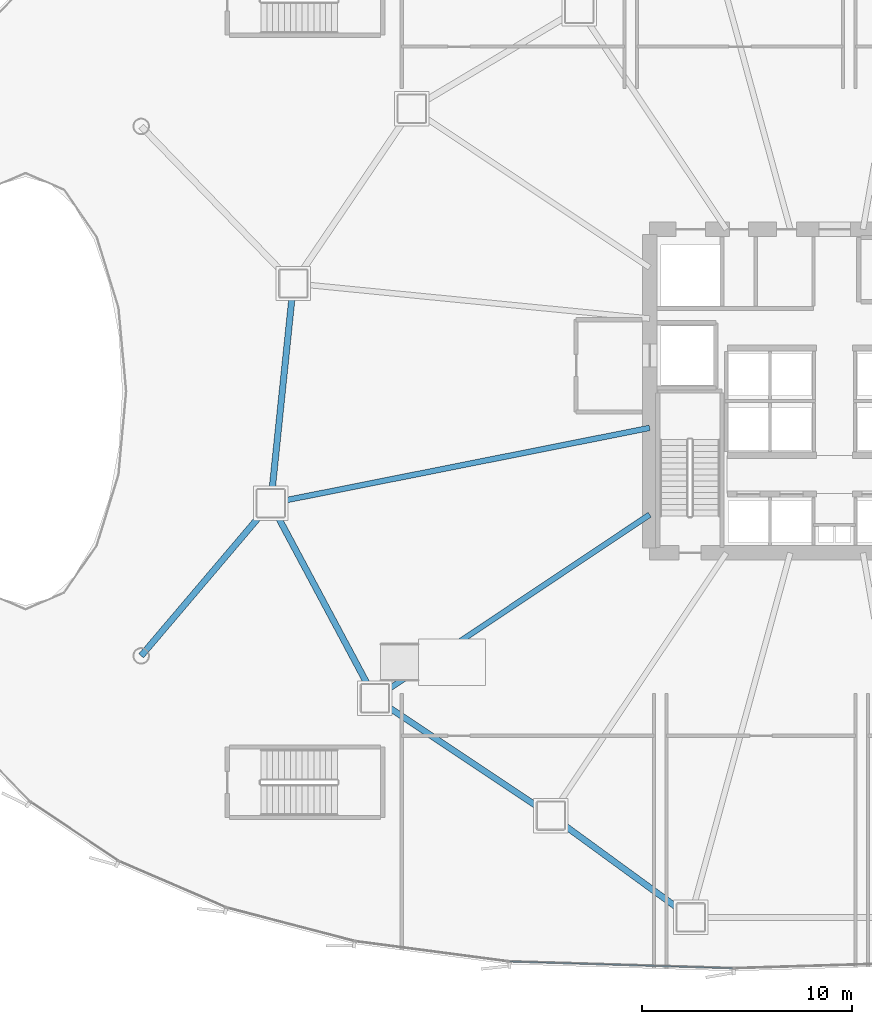
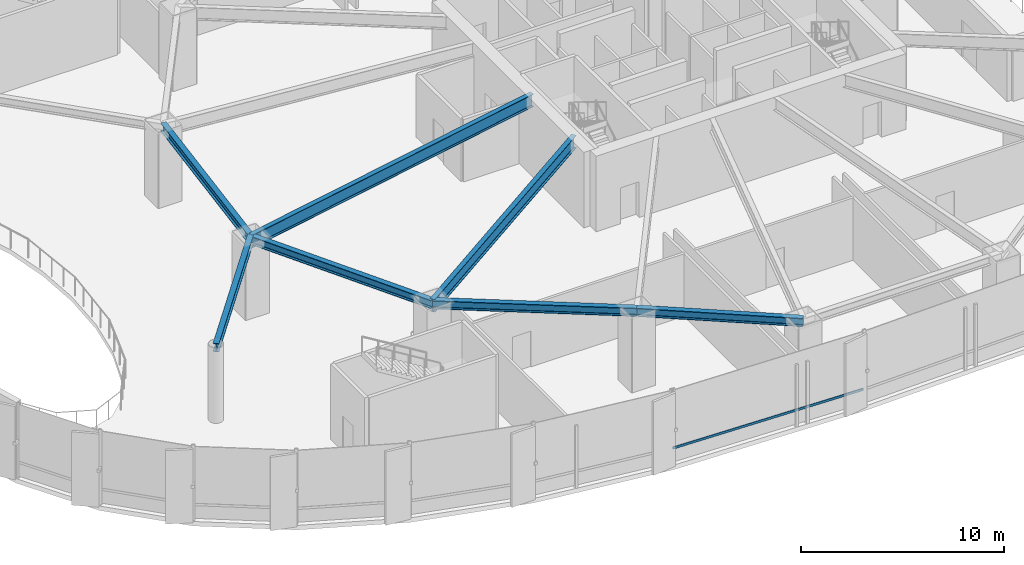
# One storey, part 5 of 34: 7 beams, 1 member, 1 element without a shape of its own.
"""IFC4 building model written with IfcOpenShell, lengths in metres."""

from ifc_helpers import new_model, si_unit, direction, frame, origin, origin_2d, place, context, subcontext, project, spatial, hollow_rectangle, i_section, extrude, source, transform, mapped, material, layer, layer_set, material_profile, profile_set, type_object, element, aggregate, save


model = new_model("IFC4")

# Units and contexts
model_context = context("Model", 3, precision=1e-05, world=origin(), true_north=direction((0.0, 1.0)))
body_context = subcontext(model_context, "Body", "Model", "MODEL_VIEW")
ifc_project = project(units=[si_unit("LENGTHUNIT", "METRE"), si_unit("AREAUNIT", "SQUARE_METRE"), si_unit("VOLUMEUNIT", "CUBIC_METRE"), si_unit("PLANEANGLEUNIT", "RADIAN"), si_unit("MASSUNIT", "GRAM", prefix="KILO"), si_unit("THERMODYNAMICTEMPERATUREUNIT", "KELVIN")], contexts=[model_context])

# Site, building, storey
site_placement = place(None, origin())
site = spatial("IfcSite", under=ifc_project, at=site_placement, CompositionType="ELEMENT")
building_placement = place(site_placement, origin())
building = spatial("IfcBuilding", under=site, at=building_placement, Name="Kethvar Cultural Tower", CompositionType="ELEMENT")
storey_placement = place(building_placement, frame((0.0, 0.0, 14.800048828125)))
storey = spatial("IfcBuildingStorey", under=building, at=storey_placement, Name="L03", CompositionType="ELEMENT", Elevation=14.800048828125)

# Beams
ifc_material_1 = material(Name="Steel S355J2", Category="steel")
ifc_material_profile_1 = material_profile(ifc_material_1, i_section(OverallWidth=0.300048828125, OverallDepth=0.5, WebThickness=0.014404296875, FlangeThickness=0.028076171875, FilletRadius=0.027099609375, at=origin_2d()), Name="Steel S355J2 — HEB500")
ifc_profile_set_1 = profile_set([ifc_material_profile_1], Name="Steel S355J2 — HEB500")
beam_type_1 = type_object("IfcBeamType", Name="BM-SP500", PredefinedType="SPANDREL", material=ifc_profile_set_1)
shared_shape_1 = source(origin(), body_context, "Body", "SweptSolid", [
    extrude(i_section(OverallWidth=0.300048828125, OverallDepth=0.5, WebThickness=0.014404296875, FlangeThickness=0.028076171875, FilletRadius=0.027099609375, at=origin_2d()), origin(), (0.0, 0.0, 1.0), 10.515869140625),
])
beam_1_placement = place(storey_placement, frame((21.047119140625, 32.922607421875, 4.27783203125), z_axis=(-0.102824694973, -0.994699493367, 0.0), x_axis=(0.994699493367, -0.102824694973, 0.0)))
element("IfcBeam", 1, at=beam_1_placement, inside=storey, type_object=beam_type_1, Name="L03 Podium Ring Beam 08", PredefinedType="SPANDREL", context=body_context, shape_type="MappedRepresentation", body=[
    mapped(shared_shape_1, transform((0.0, 0.0, 0.0), scale=1.0)),
])
shared_shape_2 = source(origin(), body_context, "Body", "SweptSolid", [
    extrude(i_section(OverallWidth=0.300048828125, OverallDepth=0.5, WebThickness=0.014404296875, FlangeThickness=0.028076171875, FilletRadius=0.027099609375, at=origin_2d()), origin(), (0.0, 0.0, 1.0), 10.52099609375),
])
beam_2_placement = place(storey_placement, frame((19.9658203125, 22.46240234375, 4.27783203125), z_axis=(0.471339616984, -0.881951793162, 0.0), x_axis=(0.881951793162, 0.471339616984, 0.0)))
element("IfcBeam", 2, at=beam_2_placement, inside=storey, type_object=beam_type_1, Name="L03 Podium Ring Beam 09", PredefinedType="SPANDREL", context=body_context, shape_type="MappedRepresentation", body=[
    mapped(shared_shape_2, transform((0.0, 0.0, 0.0), scale=1.0)),
])
shared_shape_3 = source(origin(), body_context, "Body", "SweptSolid", [
    extrude(i_section(OverallWidth=0.300048828125, OverallDepth=0.5, WebThickness=0.014404296875, FlangeThickness=0.028076171875, FilletRadius=0.027099609375, at=origin_2d()), origin(), (0.0, 0.0, 1.0), 10.06787109375),
])
beam_3_placement = place(storey_placement, frame((24.9248046875, 13.183349609375, 4.27783203125), z_axis=(0.832065216665, -0.554677812083, 0.0), x_axis=(0.554677812083, 0.832065216665, 0.0)))
element("IfcBeam", 3, at=beam_3_placement, inside=storey, type_object=beam_type_1, Name="L03 Podium Ring Beam 10", PredefinedType="SPANDREL", context=body_context, shape_type="MappedRepresentation", body=[
    mapped(shared_shape_3, transform((0.0, 0.0, 0.0), scale=1.0)),
])
shared_shape_4 = source(origin(), body_context, "Body", "SweptSolid", [
    extrude(i_section(OverallWidth=0.300048828125, OverallDepth=0.5, WebThickness=0.014404296875, FlangeThickness=0.028076171875, FilletRadius=0.027099609375, at=origin_2d()), origin(), (0.0, 0.0, 1.0), 8.228515625),
])
beam_4_placement = place(storey_placement, frame((33.302001953125, 7.598876953125, 4.27783203125), z_axis=(0.807925716462, -0.589284342808, 0.0), x_axis=(0.589284342808, 0.807925716462, 0.0)))
element("IfcBeam", 4, at=beam_4_placement, inside=storey, type_object=beam_type_1, Name="L03 Podium Ring Beam 11", PredefinedType="SPANDREL", context=body_context, shape_type="MappedRepresentation", body=[
    mapped(shared_shape_4, transform((0.0, 0.0, 0.0), scale=1.0)),
])
shared_shape_5 = source(origin(), body_context, "Body", "SweptSolid", [
    extrude(i_section(OverallWidth=0.300048828125, OverallDepth=0.5, WebThickness=0.014404296875, FlangeThickness=0.028076171875, FilletRadius=0.027099609375, at=origin_2d()), origin(), (0.0, 0.0, 1.0), 9.52685546875),
])
beam_5_placement = place(storey_placement, frame((13.800048828125, 15.199951171875, 4.27783203125), z_axis=(0.647202724352, 0.762317934717, 0.0), x_axis=(-0.762317934717, 0.647202724352, 0.0)))
element("IfcBeam", 5, at=beam_5_placement, inside=storey, type_object=beam_type_1, Name="L03 West Atrium Wing Beam 01", PredefinedType="SPANDREL", context=body_context, shape_type="MappedRepresentation", body=[
    mapped(shared_shape_5, transform((0.0, 0.0, 0.0), scale=1.0)),
])
ifc_material_profile_2 = material_profile(ifc_material_1, i_section(OverallWidth=0.26708984375, OverallDepth=0.761962890625, WebThickness=0.014404296875, FlangeThickness=0.021484375, FilletRadius=0.01708984375, at=origin_2d()), Name="Steel S355J2 — IPE750x173")
ifc_profile_set_2 = profile_set([ifc_material_profile_2], Name="Steel S355J2 — IPE750x173")
beam_type_2 = type_object("IfcBeamType", Name="BM-IPE750", PredefinedType="BEAM", material=ifc_profile_set_2)
shared_shape_6 = source(origin(), body_context, "Body", "SweptSolid", [
    extrude(i_section(OverallWidth=0.26708984375, OverallDepth=0.761962890625, WebThickness=0.014404296875, FlangeThickness=0.021484375, FilletRadius=0.01708984375, at=origin_2d()), origin(), (0.0, 0.0, 1.0), 18.387451171875),
])
beam_6_placement = place(storey_placement, frame((38.0, 26.049560546875, 4.14697265625), z_axis=(-0.980785937774, -0.195087017162, 0.0), x_axis=(0.195087017162, -0.980785937774, 0.0)))
element("IfcBeam", 6, at=beam_6_placement, inside=storey, type_object=beam_type_2, Name="L03 Podium Radial Girder 09", PredefinedType="BEAM", context=body_context, shape_type="MappedRepresentation", body=[
    mapped(shared_shape_6, transform((0.0, 0.0, 0.0), scale=1.0)),
])
shared_shape_7 = source(origin(), body_context, "Body", "SweptSolid", [
    extrude(i_section(OverallWidth=0.26708984375, OverallDepth=0.761962890625, WebThickness=0.014404296875, FlangeThickness=0.021484375, FilletRadius=0.01708984375, at=origin_2d()), origin(), (0.0, 0.0, 1.0), 15.725341796875),
])
beam_7_placement = place(storey_placement, frame((38.0, 21.919921875, 4.14697265625), z_axis=(-0.831469433959, -0.555570499929, 0.0), x_axis=(0.555570499929, -0.831469433959, 0.0)))
element("IfcBeam", 7, at=beam_7_placement, inside=storey, type_object=beam_type_2, Name="L03 Podium Radial Girder 10", PredefinedType="BEAM", context=body_context, shape_type="MappedRepresentation", body=[
    mapped(shared_shape_7, transform((0.0, 0.0, 0.0), scale=1.0)),
])

# Curtain wall, member
ifc_material_2 = material(Name="Aluminium 6063-T6", Category="aluminium")
ifc_layer = layer(ifc_material_2, 0.179931640625, Name="Aluminium 6063-T6", Category="aluminium")
ifc_layer_set = layer_set([ifc_layer], Name="Aluminium 6063-T6 (180 mm)")
curtain_wall_type = type_object("IfcCurtainWallType", Name="CW-SYS-01-POD", PredefinedType="NOTDEFINED", material=ifc_layer_set)
curtain_wall_placement = place(storey_placement, origin())
curtain_wall = element("IfcCurtainWall", 8, at=curtain_wall_placement, inside=storey, type_object=curtain_wall_type, Name="L03 Curtain Wall Run 05", PredefinedType="NOTDEFINED")
ifc_material_profile_3 = material_profile(ifc_material_2, hollow_rectangle(XDim=0.06005859375, YDim=0.139892578125, WallThickness=0.0048828125, at=origin_2d()), Name="Aluminium 6063-T6 — RHS140x60x5")
ifc_profile_set_3 = profile_set([ifc_material_profile_3], Name="Aluminium 6063-T6 — RHS140x60x5")
member_type = type_object("IfcMemberType", Name="CW-SYS-01-POD-TRN", PredefinedType="USERDEFINED", material=ifc_profile_set_3)
shared_shape_8 = source(origin(), body_context, "Body", "SweptSolid", [
    extrude(hollow_rectangle(XDim=0.06005859375, YDim=0.139892578125, WallThickness=0.0048828125, at=origin_2d()), origin(), (0.0, 0.0, 1.0), 10.61279296875),
])
member_placement = place(storey_placement, frame((31.342041015625, 0.6513671875, 0.949951171875), z_axis=(0.999545810513, -0.030135903608, 0.0), x_axis=(0.030135903608, 0.999545810513, 0.0)))
member = element("IfcMember", 9, at=member_placement, type_object=member_type, Name="CW-L03-R05 Transom 1", ObjectType="TRANSOM", PredefinedType="USERDEFINED", context=body_context, shape_type="MappedRepresentation", body=[
    mapped(shared_shape_8, transform((0.0, 0.0, 0.0), scale=1.0)),
])
aggregate(curtain_wall, [member])

save(model, "model.ifc")
